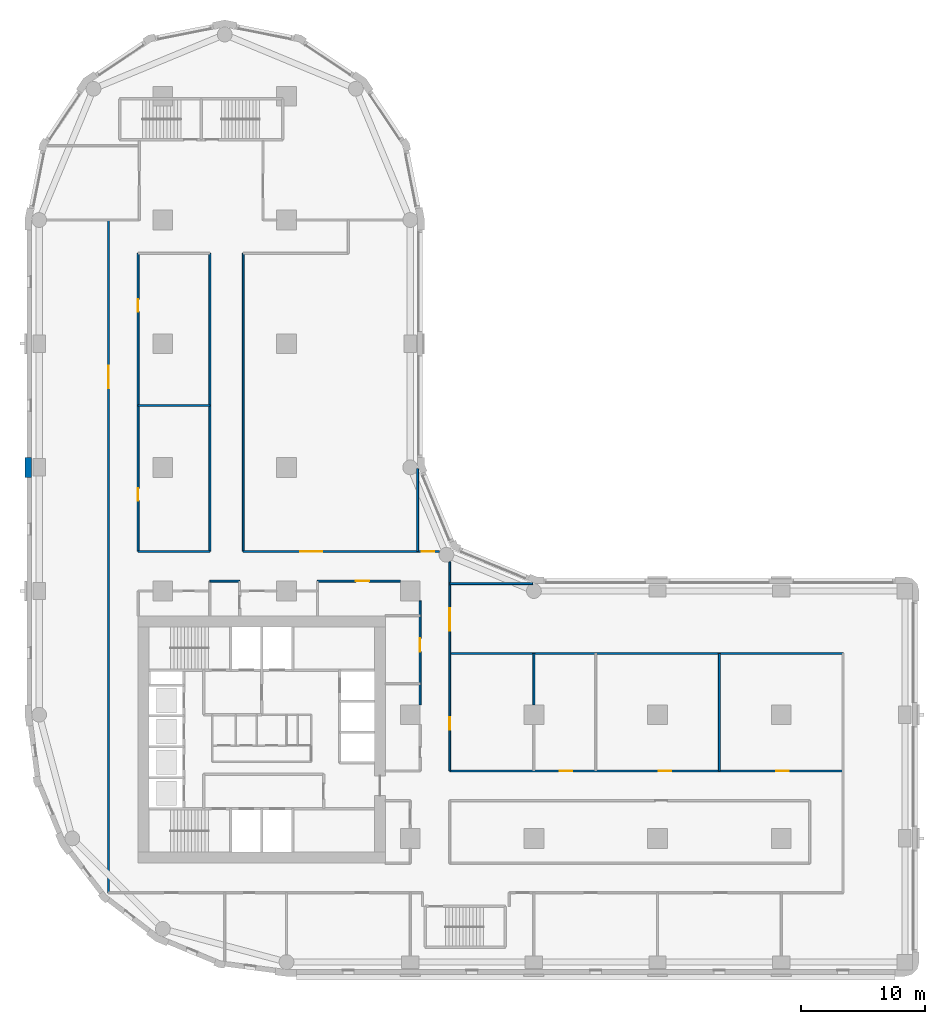
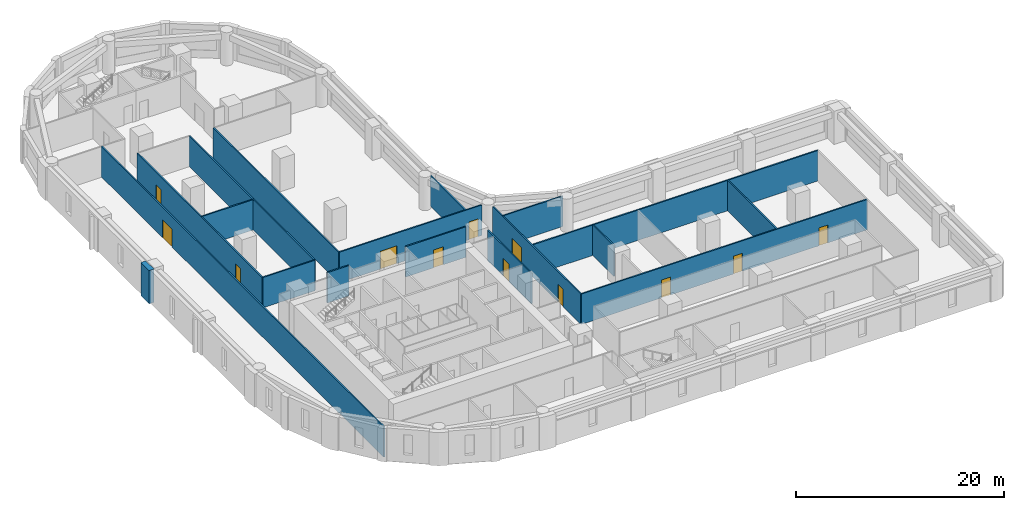
# One storey, part 5 of 11: 18 walls, 12 doors, 12 openings.
"""IFC4 building model written with IfcOpenShell, lengths in metres."""

from ifc_helpers import new_model, si_unit, direction, frame, frame_2d, origin, place, context, subcontext, project, spatial, polyline, rectangle, outline, extrude, material, layer, layer_set, type_object, element, fill, save


model = new_model("IFC4")

# Units and contexts
model_context = context("Model", 3, precision=1e-05, world=origin(), true_north=direction((0.0, 1.0)))
body_context = subcontext(model_context, "Body", "Model", "MODEL_VIEW")
ifc_project = project(units=[si_unit("LENGTHUNIT", "METRE"), si_unit("AREAUNIT", "SQUARE_METRE"), si_unit("VOLUMEUNIT", "CUBIC_METRE"), si_unit("PLANEANGLEUNIT", "RADIAN"), si_unit("MASSUNIT", "GRAM", prefix="KILO")], contexts=[model_context])

# Site, building, storey
site_placement = place(None, origin())
site = spatial("IfcSite", under=ifc_project, at=site_placement, CompositionType="ELEMENT")
building_placement = place(site_placement, origin())
building = spatial("IfcBuilding", under=site, at=building_placement, Name="Qaws Garden Tower", CompositionType="ELEMENT")
storey_placement = place(building_placement, frame((0.0, 0.0, 86.10009765625)))
storey = spatial("IfcBuildingStorey", under=building, at=storey_placement, Name="L21", CompositionType="ELEMENT", Elevation=86.10009765625)

# Wall
ifc_material_1 = material(Name="Clay facing brick masonry", Category="masonry")
ifc_layer_1 = layer(ifc_material_1, 0.550048828125)
ifc_layer_set_1 = layer_set([ifc_layer_1], Name="Clay facing brick masonry")
wall_type_1 = type_object("IfcWallType", Name="Brick pier 550 x 1600", PredefinedType="SOLIDWALL", material=ifc_layer_set_1)
wall_1_placement = place(storey_placement, origin())
element("IfcWall", 1, at=wall_1_placement, inside=storey, type_object=wall_type_1, Name="E-L21-pier-25", PredefinedType="SOLIDWALL", context=body_context, shape_type="SweptSolid", body=[
    extrude(outline(polyline([(-1.0, 40.800048828125), (-1.14990234375, 40.800048828125), (-1.14990234375, 40.0), (-1.14990234375, 39.199951171875), (-1.0, 39.199951171875), (-0.60009765625, 39.199951171875), (-0.60009765625, 40.0), (-0.60009765625, 40.800048828125), (-1.0, 40.800048828125)])), origin(), (0.0, 0.0, 1.0), 3.89990234375),
])

# Wall, opening, door
ifc_material_2 = material(Name="Gypsum board partition")
ifc_layer_2 = layer(ifc_material_2, 0.14990234375)
ifc_layer_set_2 = layer_set([ifc_layer_2], Name="Gypsum board partition")
wall_type_2 = type_object("IfcWallType", Name="PARTITION 150 EI 60", PredefinedType="PARTITIONING", material=ifc_layer_set_2)
wall_2_placement = place(storey_placement, frame((5.60009765625, 5.60009765625, 0.0), z_axis=(0.0, 0.0, 1.0), x_axis=(0.0, 1.0, 0.0)))
wall_2 = element("IfcWall", 2, at=wall_2_placement, inside=storey, type_object=wall_type_2, Name="O-L21-wall-001", PredefinedType="PARTITIONING", context=body_context, shape_type="SweptSolid", body=[
    extrude(rectangle(XDim=54.39990234375, YDim=0.14990234375, at=frame_2d((27.199951171875, 0.0))), origin(), (0.0, 0.0, 1.0), 3.579833984375),
])
opening_1_placement = place(wall_2_placement, frame((40.800048828125, 0.0, 0.0)))
opening_1 = element("IfcOpeningElement", 3, at=opening_1_placement, cuts=wall_2, Name="Opening A701", PredefinedType="OPENING", context=body_context, shape_type="SweptSolid", body=[
    extrude(rectangle(XDim=1.800048828125, YDim=2.10009765625, at=frame_2d((0.89990234375, 1.050048828125))), frame((0.0, 0.0849609375, 0.0), z_axis=(0.0, -1.0, 0.0), x_axis=(1.0, 0.0, 0.0)), (0.0, 0.0, 1.0), 0.169921875),
])
ifc_material_3 = material(Name="Timber door leaf", Category="wood")
door_type_1 = type_object("IfcDoorType", Name="DOUBLE DOOR 1800 X 2100", OperationType="DOUBLE_DOOR_SINGLE_SWING", PredefinedType="DOOR", material=ifc_material_3)
door_1_placement = place(opening_1_placement, origin())
door_1 = element("IfcDoor", 4, at=door_1_placement, inside=storey, type_object=door_type_1, Name="O-L21-door-001", OperationType="DOUBLE_DOOR_SINGLE_SWING", OverallHeight=2.10009765625, OverallWidth=1.800048828125, PredefinedType="DOOR", context=body_context, shape_type="SweptSolid", body=[
    extrude(rectangle(XDim=1.800048828125, YDim=2.10009765625, at=frame_2d((0.89990234375, 1.050048828125))), frame((0.0, 0.02490234375, 0.0), z_axis=(0.0, -1.0, 0.0), x_axis=(1.0, 0.0, 0.0)), (0.0, 0.0, 1.0), 0.050048828125),
])
fill(opening_1, door_1)

# Wall, openings, doors
wall_3_placement = place(storey_placement, frame((8.0, 33.199951171875, 0.0), z_axis=(0.0, 0.0, 1.0), x_axis=(0.0, 1.0, 0.0)))
wall_3 = element("IfcWall", 5, at=wall_3_placement, inside=storey, type_object=wall_type_2, Name="O-L21-wall-003", PredefinedType="PARTITIONING", context=body_context, shape_type="SweptSolid", body=[
    extrude(rectangle(XDim=24.10009765625, YDim=0.14990234375, at=frame_2d((12.050048828125, 0.0))), origin(), (0.0, 0.0, 1.0), 3.579833984375),
])
opening_2_placement = place(wall_3_placement, frame((4.10009765625, 0.0, 0.0)))
opening_2 = element("IfcOpeningElement", 6, at=opening_2_placement, cuts=wall_3, Name="Opening A712", PredefinedType="OPENING", context=body_context, shape_type="SweptSolid", body=[
    extrude(rectangle(XDim=1.0, YDim=2.10009765625, at=frame_2d((0.5, 1.050048828125))), frame((0.0, 0.0849609375, 0.0), z_axis=(0.0, -1.0, 0.0), x_axis=(1.0, 0.0, 0.0)), (0.0, 0.0, 1.0), 0.169921875),
])
opening_3_placement = place(wall_3_placement, frame((19.39990234375, 0.0, 0.0)))
opening_3 = element("IfcOpeningElement", 7, at=opening_3_placement, cuts=wall_3, Name="Opening A714", PredefinedType="OPENING", context=body_context, shape_type="SweptSolid", body=[
    extrude(rectangle(XDim=1.0, YDim=2.10009765625, at=frame_2d((0.5, 1.050048828125))), frame((0.0, 0.0849609375, 0.0), z_axis=(0.0, -1.0, 0.0), x_axis=(1.0, 0.0, 0.0)), (0.0, 0.0, 1.0), 0.169921875),
])
ifc_material_4 = material(Name="Timber door leaf", Category="wood")
door_type_2 = type_object("IfcDoorType", Name="TENANCY ENTRANCE DOOR 1000 X 2100", OperationType="SINGLE_SWING_LEFT", PredefinedType="DOOR", material=ifc_material_4)
door_2_placement = place(opening_2_placement, frame((1.0, 0.0, 0.0), z_axis=(0.0, 0.0, 1.0), x_axis=(-1.0, 0.0, 0.0)))
door_2 = element("IfcDoor", 8, at=door_2_placement, inside=storey, type_object=door_type_2, Name="O-L21-door-012", OperationType="SINGLE_SWING_RIGHT", OverallHeight=2.10009765625, OverallWidth=1.0, PredefinedType="DOOR", context=body_context, shape_type="SweptSolid", body=[
    extrude(rectangle(XDim=1.0, YDim=2.10009765625, at=frame_2d((0.5, 1.050048828125))), frame((0.0, 0.02490234375, 0.0), z_axis=(0.0, -1.0, 0.0), x_axis=(1.0, 0.0, 0.0)), (0.0, 0.0, 1.0), 0.050048828125),
])
fill(opening_2, door_2)
door_3_placement = place(opening_3_placement, frame((1.0, 0.0, 0.0), z_axis=(0.0, 0.0, 1.0), x_axis=(-1.0, 0.0, 0.0)))
door_3 = element("IfcDoor", 9, at=door_3_placement, inside=storey, type_object=door_type_2, Name="O-L21-door-014", OperationType="SINGLE_SWING_RIGHT", OverallHeight=2.10009765625, OverallWidth=1.0, PredefinedType="DOOR", context=body_context, shape_type="SweptSolid", body=[
    extrude(rectangle(XDim=1.0, YDim=2.10009765625, at=frame_2d((0.5, 1.050048828125))), frame((0.0, 0.02490234375, 0.0), z_axis=(0.0, -1.0, 0.0), x_axis=(1.0, 0.0, 0.0)), (0.0, 0.0, 1.0), 0.050048828125),
])
fill(opening_3, door_3)

# Walls
for number, where, z_axis, x_axis, name in (
    (10, (13.800048828125, 33.199951171875, 0.0), (0.0, 0.0, 1.0), (0.0, 1.0, 0.0), "O-L21-wall-006"),
    (11, (16.5, 33.199951171875, 0.0), (0.0, 0.0, 1.0), (0.0, 1.0, 0.0), "O-L21-wall-009"),
):
    element("IfcWall", number, at=place(storey_placement, frame(where, z_axis=z_axis, x_axis=x_axis)), inside=storey, type_object=wall_type_2, Name=name, PredefinedType="PARTITIONING", context=body_context, shape_type="SweptSolid", body=[
        extrude(rectangle(XDim=24.10009765625, YDim=0.14990234375, at=frame_2d((12.050048828125, 0.0))), origin(), (0.0, 0.0, 1.0), 3.579833984375),
    ])
wall_4_placement = place(storey_placement, frame((30.60009765625, 33.199951171875, 0.0), z_axis=(0.0, 0.0, 1.0), x_axis=(0.0, 1.0, 0.0)))
element("IfcWall", 12, at=wall_4_placement, inside=storey, type_object=wall_type_2, Name="O-L21-wall-017", PredefinedType="PARTITIONING", context=body_context, shape_type="SweptSolid", body=[
    extrude(rectangle(XDim=6.698974609375, YDim=0.14990234375, at=frame_2d((3.349609375, 0.0))), origin(), (0.0, 0.0, 1.0), 3.579833984375),
])

# Wall, opening, door
wall_5_placement = place(storey_placement, frame((30.800048828125, 20.800048828125, 0.0), z_axis=(0.0, 0.0, 1.0), x_axis=(0.0, 1.0, 0.0)))
wall_5 = element("IfcWall", 13, at=wall_5_placement, inside=storey, type_object=wall_type_2, Name="O-L21-wall-019", PredefinedType="PARTITIONING", context=body_context, shape_type="SweptSolid", body=[
    extrude(rectangle(XDim=8.39990234375, YDim=0.14990234375, at=frame_2d((4.199951171875, 0.0))), origin(), (0.0, 0.0, 1.0), 3.579833984375),
])
opening_4_placement = place(wall_5_placement, frame((4.300048828125, 0.0, 0.0)))
opening_4 = element("IfcOpeningElement", 14, at=opening_4_placement, cuts=wall_5, Name="Opening A708", PredefinedType="OPENING", context=body_context, shape_type="SweptSolid", body=[
    extrude(rectangle(XDim=1.10009765625, YDim=2.10009765625, at=frame_2d((0.550048828125, 1.050048828125))), frame((0.0, 0.0849609375, 0.0), z_axis=(0.0, -1.0, 0.0), x_axis=(1.0, 0.0, 0.0)), (0.0, 0.0, 1.0), 0.169921875),
])
ifc_material_5 = material(Name="Timber door leaf", Category="wood")
door_type_3 = type_object("IfcDoorType", Name="SERVICE ROOM DOOR 1100 X 2100", OperationType="SINGLE_SWING_LEFT", PredefinedType="DOOR", material=ifc_material_5)
door_4_placement = place(opening_4_placement, origin())
door_4 = element("IfcDoor", 15, at=door_4_placement, inside=storey, type_object=door_type_3, Name="O-L21-door-008", OperationType="SINGLE_SWING_RIGHT", OverallHeight=2.10009765625, OverallWidth=1.10009765625, PredefinedType="DOOR", context=body_context, shape_type="SweptSolid", body=[
    extrude(rectangle(XDim=1.10009765625, YDim=2.10009765625, at=frame_2d((0.550048828125, 1.050048828125))), frame((0.0, 0.02490234375, 0.0), z_axis=(0.0, -1.0, 0.0), x_axis=(1.0, 0.0, 0.0)), (0.0, 0.0, 1.0), 0.050048828125),
])
fill(opening_4, door_4)

# Wall, openings, doors
wall_6_placement = place(storey_placement, frame((33.199951171875, 15.449951171875, 0.0), z_axis=(0.0, 0.0, 1.0), x_axis=(0.0, 1.0, 0.0)))
wall_6 = element("IfcWall", 16, at=wall_6_placement, inside=storey, type_object=wall_type_2, Name="O-L21-wall-022", PredefinedType="PARTITIONING", context=body_context, shape_type="SweptSolid", body=[
    extrude(rectangle(XDim=16.912109375, YDim=0.14990234375, at=frame_2d((8.4560546875, 0.0))), origin(), (0.0, 0.0, 1.0), 3.579833984375),
])
opening_5_placement = place(wall_6_placement, frame((11.35009765625, 0.0, 0.0)))
opening_5 = element("IfcOpeningElement", 17, at=opening_5_placement, cuts=wall_6, Name="Opening A705", PredefinedType="OPENING", context=body_context, shape_type="SweptSolid", body=[
    extrude(rectangle(XDim=1.800048828125, YDim=2.10009765625, at=frame_2d((0.89990234375, 1.050048828125))), frame((0.0, 0.0849609375, 0.0), z_axis=(0.0, -1.0, 0.0), x_axis=(1.0, 0.0, 0.0)), (0.0, 0.0, 1.0), 0.169921875),
])
opening_6_placement = place(wall_6_placement, frame((3.35009765625, 0.0, 0.0)))
opening_6 = element("IfcOpeningElement", 18, at=opening_6_placement, cuts=wall_6, Name="Opening A724", PredefinedType="OPENING", context=body_context, shape_type="SweptSolid", body=[
    extrude(rectangle(XDim=1.0, YDim=2.10009765625, at=frame_2d((0.5, 1.050048828125))), frame((0.0, 0.0849609375, 0.0), z_axis=(0.0, -1.0, 0.0), x_axis=(1.0, 0.0, 0.0)), (0.0, 0.0, 1.0), 0.169921875),
])
door_5_placement = place(opening_5_placement, frame((1.800048828125, 0.0, 0.0), z_axis=(0.0, 0.0, 1.0), x_axis=(-1.0, 0.0, 0.0)))
door_5 = element("IfcDoor", 19, at=door_5_placement, inside=storey, type_object=door_type_1, Name="O-L21-door-005", OperationType="DOUBLE_DOOR_SINGLE_SWING", OverallHeight=2.10009765625, OverallWidth=1.800048828125, PredefinedType="DOOR", context=body_context, shape_type="SweptSolid", body=[
    extrude(rectangle(XDim=1.800048828125, YDim=2.10009765625, at=frame_2d((0.89990234375, 1.050048828125))), frame((0.0, 0.02490234375, 0.0), z_axis=(0.0, -1.0, 0.0), x_axis=(1.0, 0.0, 0.0)), (0.0, 0.0, 1.0), 0.050048828125),
])
fill(opening_5, door_5)
door_6_placement = place(opening_6_placement, frame((1.0, 0.0, 0.0), z_axis=(0.0, 0.0, 1.0), x_axis=(-1.0, 0.0, 0.0)))
door_6 = element("IfcDoor", 20, at=door_6_placement, inside=storey, type_object=door_type_2, Name="O-L21-door-024", OperationType="SINGLE_SWING_LEFT", OverallHeight=2.10009765625, OverallWidth=1.0, PredefinedType="DOOR", context=body_context, shape_type="SweptSolid", body=[
    extrude(rectangle(XDim=1.0, YDim=2.10009765625, at=frame_2d((0.5, 1.050048828125))), frame((0.0, 0.02490234375, 0.0), z_axis=(0.0, -1.0, 0.0), x_axis=(1.0, 0.0, 0.0)), (0.0, 0.0, 1.0), 0.050048828125),
])
fill(opening_6, door_6)

# Walls
wall_7_placement = place(storey_placement, frame((40.0, 20.800048828125, 0.0), z_axis=(0.0, 0.0, 1.0), x_axis=(0.0, 1.0, 0.0)))
element("IfcWall", 21, at=wall_7_placement, inside=storey, type_object=wall_type_2, Name="O-L21-wall-026", PredefinedType="PARTITIONING", context=body_context, shape_type="SweptSolid", body=[
    extrude(rectangle(XDim=4.14990234375, YDim=0.14990234375, at=frame_2d((2.074951171875, 0.0))), origin(), (0.0, 0.0, 1.0), 3.579833984375),
])
wall_8_placement = place(storey_placement, frame((55.0, 15.449951171875, 0.0), z_axis=(0.0, 0.0, 1.0), x_axis=(0.0, 1.0, 0.0)))
element("IfcWall", 22, at=wall_8_placement, inside=storey, type_object=wall_type_2, Name="O-L21-wall-029", PredefinedType="PARTITIONING", context=body_context, shape_type="SweptSolid", body=[
    extrude(rectangle(XDim=9.5, YDim=0.14990234375, at=frame_2d((4.75, 0.0))), origin(), (0.0, 0.0, 1.0), 3.579833984375),
])

# Wall, openings, doors
wall_9_placement = place(storey_placement, frame((33.199951171875, 15.449951171875, 0.0), z_axis=(0.0, 0.0, 1.0), x_axis=(1.0, 0.0, 0.0)))
wall_9 = element("IfcWall", 23, at=wall_9_placement, inside=storey, type_object=wall_type_2, Name="O-L21-wall-040", PredefinedType="PARTITIONING", context=body_context, shape_type="SweptSolid", body=[
    extrude(rectangle(XDim=31.800048828125, YDim=0.14990234375, at=frame_2d((15.89990234375, 0.0))), origin(), (0.0, 0.0, 1.0), 3.579833984375),
])
opening_7_placement = place(wall_9_placement, frame((16.89990234375, 0.0, 0.0)))
opening_7 = element("IfcOpeningElement", 24, at=opening_7_placement, cuts=wall_9, Name="Opening A703", PredefinedType="OPENING", context=body_context, shape_type="SweptSolid", body=[
    extrude(rectangle(XDim=1.0, YDim=2.10009765625, at=frame_2d((0.5, 1.050048828125))), frame((0.0, 0.0849609375, 0.0), z_axis=(0.0, -1.0, 0.0), x_axis=(1.0, 0.0, 0.0)), (0.0, 0.0, 1.0), 0.169921875),
])
opening_8_placement = place(wall_9_placement, frame((26.39990234375, 0.0, 0.0)))
opening_8 = element("IfcOpeningElement", 25, at=opening_8_placement, cuts=wall_9, Name="Opening A704", PredefinedType="OPENING", context=body_context, shape_type="SweptSolid", body=[
    extrude(rectangle(XDim=1.0, YDim=2.10009765625, at=frame_2d((0.5, 1.050048828125))), frame((0.0, 0.0849609375, 0.0), z_axis=(0.0, -1.0, 0.0), x_axis=(1.0, 0.0, 0.0)), (0.0, 0.0, 1.0), 0.169921875),
])
opening_9_placement = place(wall_9_placement, frame((8.89990234375, 0.0, 0.0)))
opening_9 = element("IfcOpeningElement", 26, at=opening_9_placement, cuts=wall_9, Name="Opening A725", PredefinedType="OPENING", context=body_context, shape_type="SweptSolid", body=[
    extrude(rectangle(XDim=1.0, YDim=2.10009765625, at=frame_2d((0.5, 1.050048828125))), frame((0.0, 0.0849609375, 0.0), z_axis=(0.0, -1.0, 0.0), x_axis=(1.0, 0.0, 0.0)), (0.0, 0.0, 1.0), 0.169921875),
])
door_7_placement = place(opening_7_placement, origin())
door_7 = element("IfcDoor", 27, at=door_7_placement, inside=storey, type_object=door_type_2, Name="O-L21-door-003", OperationType="SINGLE_SWING_LEFT", OverallHeight=2.10009765625, OverallWidth=1.0, PredefinedType="DOOR", context=body_context, shape_type="SweptSolid", body=[
    extrude(rectangle(XDim=1.0, YDim=2.10009765625, at=frame_2d((0.5, 1.050048828125))), frame((0.0, 0.02490234375, 0.0), z_axis=(0.0, -1.0, 0.0), x_axis=(1.0, 0.0, 0.0)), (0.0, 0.0, 1.0), 0.050048828125),
])
fill(opening_7, door_7)
door_8_placement = place(opening_8_placement, origin())
door_8 = element("IfcDoor", 28, at=door_8_placement, inside=storey, type_object=door_type_2, Name="O-L21-door-004", OperationType="SINGLE_SWING_LEFT", OverallHeight=2.10009765625, OverallWidth=1.0, PredefinedType="DOOR", context=body_context, shape_type="SweptSolid", body=[
    extrude(rectangle(XDim=1.0, YDim=2.10009765625, at=frame_2d((0.5, 1.050048828125))), frame((0.0, 0.02490234375, 0.0), z_axis=(0.0, -1.0, 0.0), x_axis=(1.0, 0.0, 0.0)), (0.0, 0.0, 1.0), 0.050048828125),
])
fill(opening_8, door_8)
door_9_placement = place(opening_9_placement, origin())
door_9 = element("IfcDoor", 29, at=door_9_placement, inside=storey, type_object=door_type_2, Name="O-L21-door-025", OperationType="SINGLE_SWING_LEFT", OverallHeight=2.10009765625, OverallWidth=1.0, PredefinedType="DOOR", context=body_context, shape_type="SweptSolid", body=[
    extrude(rectangle(XDim=1.0, YDim=2.10009765625, at=frame_2d((0.5, 1.050048828125))), frame((0.0, 0.02490234375, 0.0), z_axis=(0.0, -1.0, 0.0), x_axis=(1.0, 0.0, 0.0)), (0.0, 0.0, 1.0), 0.050048828125),
])
fill(opening_9, door_9)

# Walls
wall_10_placement = place(storey_placement, frame((33.199951171875, 24.949951171875, 0.0), z_axis=(0.0, 0.0, 1.0), x_axis=(1.0, 0.0, 0.0)))
element("IfcWall", 30, at=wall_10_placement, inside=storey, type_object=wall_type_2, Name="O-L21-wall-042", PredefinedType="PARTITIONING", context=body_context, shape_type="SweptSolid", body=[
    extrude(rectangle(XDim=31.800048828125, YDim=0.14990234375, at=frame_2d((15.89990234375, 0.0))), origin(), (0.0, 0.0, 1.0), 3.579833984375),
])
wall_11_placement = place(storey_placement, frame((33.199951171875, 30.60009765625, 0.0), z_axis=(0.0, 0.0, 1.0), x_axis=(1.0, 0.0, 0.0)))
element("IfcWall", 31, at=wall_11_placement, inside=storey, type_object=wall_type_2, Name="O-L21-wall-048", PredefinedType="PARTITIONING", context=body_context, shape_type="SweptSolid", body=[
    extrude(rectangle(XDim=6.698974609375, YDim=0.14990234375, at=frame_2d((3.349609375, 0.0))), origin(), (0.0, 0.0, 1.0), 3.579833984375),
])
wall_12_placement = place(storey_placement, frame((13.800048828125, 30.800048828125, 0.0), z_axis=(0.0, 0.0, 1.0), x_axis=(1.0, 0.0, 0.0)))
element("IfcWall", 32, at=wall_12_placement, inside=storey, type_object=wall_type_2, Name="O-L21-wall-049", PredefinedType="PARTITIONING", context=body_context, shape_type="SweptSolid", body=[
    extrude(rectangle(XDim=2.39990234375, YDim=0.14990234375, at=frame_2d((1.199951171875, 0.0))), origin(), (0.0, 0.0, 1.0), 3.579833984375),
])

# Wall, opening, door
wall_13_placement = place(storey_placement, frame((22.5, 30.800048828125, 0.0), z_axis=(0.0, 0.0, 1.0), x_axis=(1.0, 0.0, 0.0)))
wall_13 = element("IfcWall", 33, at=wall_13_placement, inside=storey, type_object=wall_type_2, Name="O-L21-wall-050", PredefinedType="PARTITIONING", context=body_context, shape_type="SweptSolid", body=[
    extrude(rectangle(XDim=6.699951171875, YDim=0.14990234375, at=frame_2d((3.35009765625, 0.0))), origin(), (0.0, 0.0, 1.0), 3.579833984375),
])
opening_10_placement = place(wall_13_placement, frame((3.10009765625, 0.0, 0.0)))
opening_10 = element("IfcOpeningElement", 34, at=opening_10_placement, cuts=wall_13, Name="Opening A711", PredefinedType="OPENING", context=body_context, shape_type="SweptSolid", body=[
    extrude(rectangle(XDim=1.10009765625, YDim=2.10009765625, at=frame_2d((0.550048828125, 1.050048828125))), frame((0.0, 0.0849609375, 0.0), z_axis=(0.0, -1.0, 0.0), x_axis=(1.0, 0.0, 0.0)), (0.0, 0.0, 1.0), 0.169921875),
])
door_10_placement = place(opening_10_placement, frame((1.10009765625, 0.0, 0.0), z_axis=(0.0, 0.0, 1.0), x_axis=(-1.0, 0.0, 0.0)))
door_10 = element("IfcDoor", 35, at=door_10_placement, inside=storey, type_object=door_type_3, Name="O-L21-door-011", OperationType="SINGLE_SWING_LEFT", OverallHeight=2.10009765625, OverallWidth=1.10009765625, PredefinedType="DOOR", context=body_context, shape_type="SweptSolid", body=[
    extrude(rectangle(XDim=1.10009765625, YDim=2.10009765625, at=frame_2d((0.550048828125, 1.050048828125))), frame((0.0, 0.02490234375, 0.0), z_axis=(0.0, -1.0, 0.0), x_axis=(1.0, 0.0, 0.0)), (0.0, 0.0, 1.0), 0.050048828125),
])
fill(opening_10, door_10)

# Wall
wall_14_placement = place(storey_placement, frame((8.0, 33.199951171875, 0.0), z_axis=(0.0, 0.0, 1.0), x_axis=(1.0, 0.0, 0.0)))
element("IfcWall", 36, at=wall_14_placement, inside=storey, type_object=wall_type_2, Name="O-L21-wall-051", PredefinedType="PARTITIONING", context=body_context, shape_type="SweptSolid", body=[
    extrude(rectangle(XDim=5.800048828125, YDim=0.14990234375, at=frame_2d((2.89990234375, 0.0))), origin(), (0.0, 0.0, 1.0), 3.579833984375),
])

# Wall, openings, doors
wall_15_placement = place(storey_placement, frame((16.5, 33.199951171875, 0.0), z_axis=(0.0, 0.0, 1.0), x_axis=(1.0, 0.0, 0.0)))
wall_15 = element("IfcWall", 37, at=wall_15_placement, inside=storey, type_object=wall_type_2, Name="O-L21-wall-052", PredefinedType="PARTITIONING", context=body_context, shape_type="SweptSolid", body=[
    extrude(rectangle(XDim=15.862060546875, YDim=0.14990234375, at=frame_2d((7.93115234375, 0.0))), origin(), (0.0, 0.0, 1.0), 3.579833984375),
])
opening_11_placement = place(wall_15_placement, frame((4.60009765625, 0.0, 0.0)))
opening_11 = element("IfcOpeningElement", 38, at=opening_11_placement, cuts=wall_15, Name="Opening A715", PredefinedType="OPENING", context=body_context, shape_type="SweptSolid", body=[
    extrude(rectangle(XDim=1.800048828125, YDim=2.10009765625, at=frame_2d((0.89990234375, 1.050048828125))), frame((0.0, 0.0849609375, 0.0), z_axis=(0.0, -1.0, 0.0), x_axis=(1.0, 0.0, 0.0)), (0.0, 0.0, 1.0), 0.169921875),
])
opening_12_placement = place(wall_15_placement, frame((14.449951171875, 0.0, 0.0)))
opening_12 = element("IfcOpeningElement", 39, at=opening_12_placement, cuts=wall_15, Name="Opening A718", PredefinedType="OPENING", context=body_context, shape_type="SweptSolid", body=[
    extrude(rectangle(XDim=1.0, YDim=2.10009765625, at=frame_2d((0.5, 1.050048828125))), frame((0.0, 0.0849609375, 0.0), z_axis=(0.0, -1.0, 0.0), x_axis=(1.0, 0.0, 0.0)), (0.0, 0.0, 1.0), 0.169921875),
])
door_11_placement = place(opening_11_placement, origin())
door_11 = element("IfcDoor", 40, at=door_11_placement, inside=storey, type_object=door_type_1, Name="O-L21-door-015", OperationType="DOUBLE_DOOR_SINGLE_SWING", OverallHeight=2.10009765625, OverallWidth=1.800048828125, PredefinedType="DOOR", context=body_context, shape_type="SweptSolid", body=[
    extrude(rectangle(XDim=1.800048828125, YDim=2.10009765625, at=frame_2d((0.89990234375, 1.050048828125))), frame((0.0, 0.02490234375, 0.0), z_axis=(0.0, -1.0, 0.0), x_axis=(1.0, 0.0, 0.0)), (0.0, 0.0, 1.0), 0.050048828125),
])
fill(opening_11, door_11)
door_12_placement = place(opening_12_placement, origin())
door_12 = element("IfcDoor", 41, at=door_12_placement, inside=storey, type_object=door_type_2, Name="O-L21-door-018", OperationType="SINGLE_SWING_LEFT", OverallHeight=2.10009765625, OverallWidth=1.0, PredefinedType="DOOR", context=body_context, shape_type="SweptSolid", body=[
    extrude(rectangle(XDim=1.0, YDim=2.10009765625, at=frame_2d((0.5, 1.050048828125))), frame((0.0, 0.02490234375, 0.0), z_axis=(0.0, -1.0, 0.0), x_axis=(1.0, 0.0, 0.0)), (0.0, 0.0, 1.0), 0.050048828125),
])
fill(opening_12, door_12)

# Wall
wall_16_placement = place(storey_placement, frame((8.0, 45.0, 0.0), z_axis=(0.0, 0.0, 1.0), x_axis=(1.0, 0.0, 0.0)))
element("IfcWall", 42, at=wall_16_placement, inside=storey, type_object=wall_type_2, Name="O-L21-wall-053", PredefinedType="PARTITIONING", context=body_context, shape_type="SweptSolid", body=[
    extrude(rectangle(XDim=5.800048828125, YDim=0.14990234375, at=frame_2d((2.89990234375, 0.0))), origin(), (0.0, 0.0, 1.0), 3.579833984375),
])

save(model, "model.ifc")
